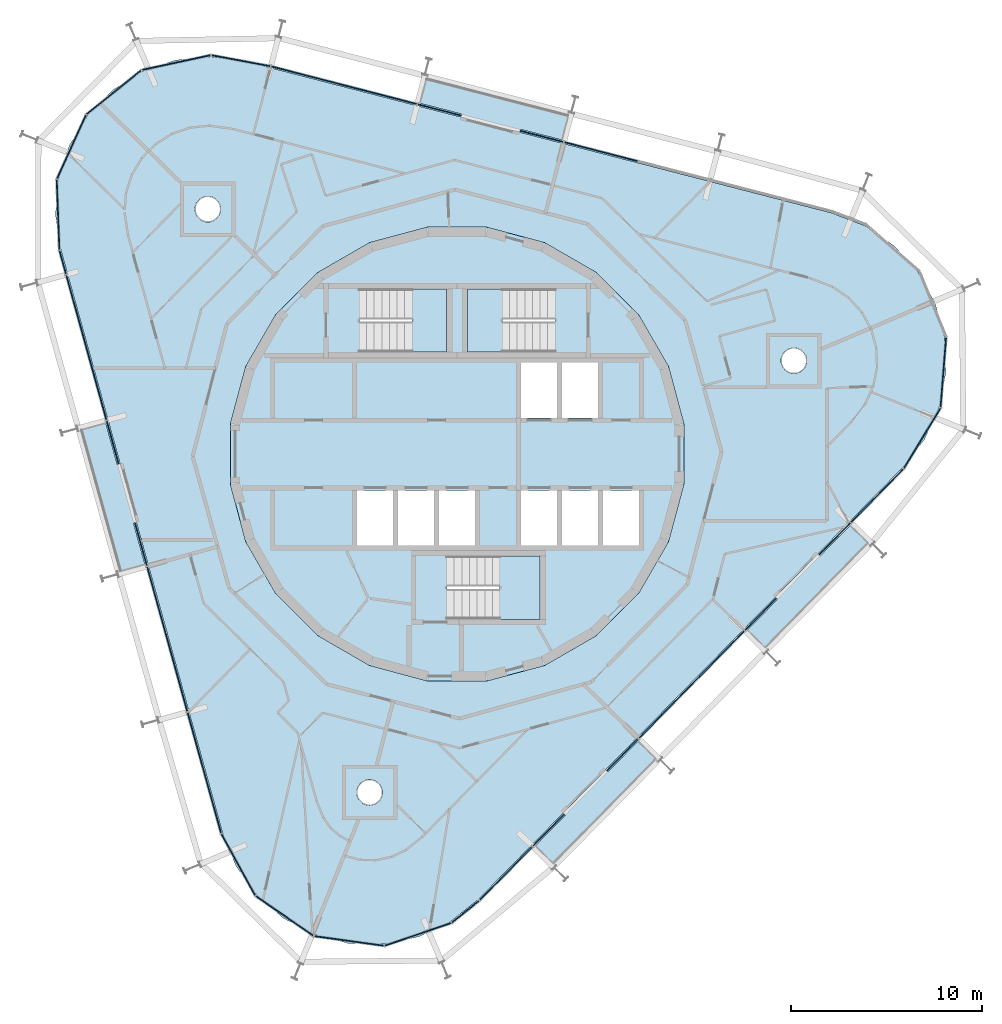
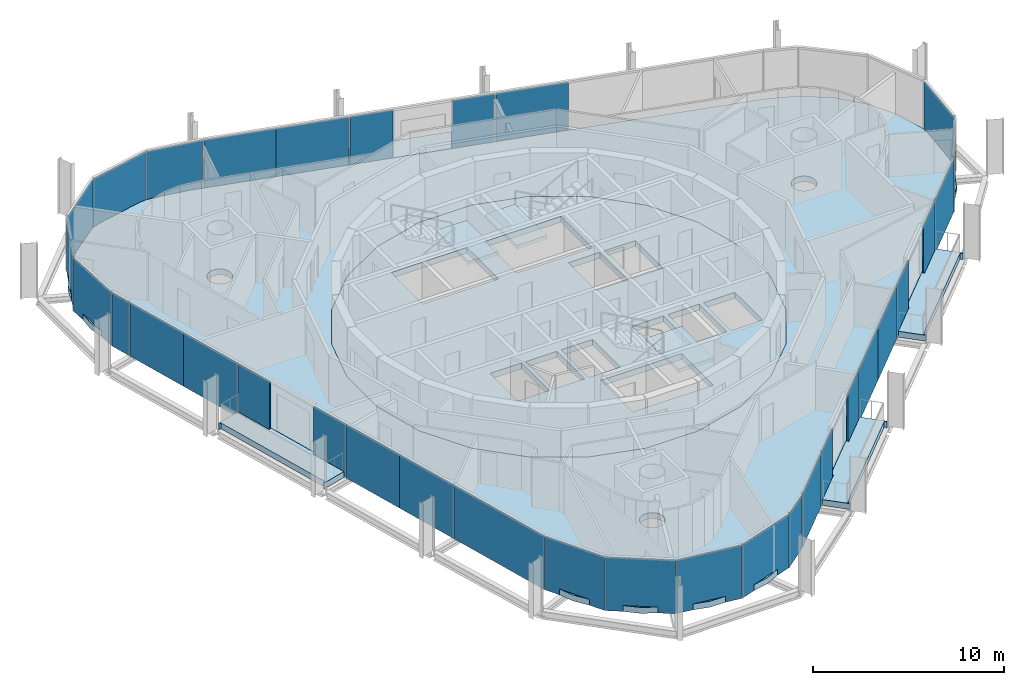
# One storey, part 8 of 15: 33 plates, 9 slabs, 9 elements without a shape of their own.
"""IFC4 building model written with IfcOpenShell, lengths in metres."""

from ifc_helpers import new_model, si_unit, direction, frame, origin, origin_2d, place, context, subcontext, project, spatial, polyline, rectangle, outline, extrude, material, layer, layer_set, type_object, element, aggregate, save


model = new_model("IFC4")

# Units and contexts
model_context = context("Model", 3, precision=1e-05, world=origin(), true_north=direction((0.0, 1.0)))
body_context = subcontext(model_context, "Body", "Model", "MODEL_VIEW")
ifc_project = project(units=[si_unit("LENGTHUNIT", "METRE"), si_unit("AREAUNIT", "SQUARE_METRE"), si_unit("VOLUMEUNIT", "CUBIC_METRE"), si_unit("PLANEANGLEUNIT", "RADIAN"), si_unit("MASSUNIT", "GRAM", prefix="KILO")], contexts=[model_context])

# Site, building, storey
site_placement = place(None, origin())
site = spatial("IfcSite", under=ifc_project, at=site_placement, CompositionType="ELEMENT")
building_placement = place(site_placement, origin())
building = spatial("IfcBuilding", under=site, at=building_placement, Name="Spindle Arch Residences", CompositionType="ELEMENT")
storey_placement = place(building_placement, frame((0.0, 0.0, 319.199951171875)))
storey = spatial("IfcBuildingStorey", under=building, at=storey_placement, Name="L82", CompositionType="ELEMENT", Elevation=319.199951171875)

# Slabs
ifc_material_1 = material(Name="Concrete C40/50", Category="concrete")
ifc_layer_1 = layer(ifc_material_1, 0.3798828125)
ifc_layer_set_1 = layer_set([ifc_layer_1], Name="Balcony slab 380")
slab_type_1 = type_object("IfcSlabType", Name="Balcony slab 380", PredefinedType="FLOOR", material=ifc_layer_set_1)
slab_1_placement = place(storey_placement, frame((0.0, 0.0, -0.3798828125)))
element("IfcSlab", 1, at=slab_1_placement, inside=storey, type_object=slab_type_1, Name="Balcony L82 bay 1", PredefinedType="FLOOR", context=body_context, shape_type="SweptSolid", body=[
    extrude(outline(polyline([(16.2529296875, -10.303955078125), (16.3056640625, -10.25048828125), (16.198486328125, -10.145263671875), (21.550048828125, -4.69970703125), (21.656982421875, -4.8046875), (21.709716796875, -4.751220703125), (20.64697265625, -3.70703125), (19.0400390625, -5.342041015625), (18.926025390625, -5.22998046875), (16.68310546875, -7.512451171875), (16.797119140625, -7.62451171875), (15.190185546875, -9.259521484375), (16.2529296875, -10.303955078125)])), origin(), (0.0, 0.0, 1.0), 0.3798828125),
])
slab_2_placement = place(storey_placement, frame((0.0, 0.0, -0.3798828125)))
element("IfcSlab", 2, at=slab_2_placement, inside=storey, type_object=slab_type_1, Name="Balcony L82 bay 7", PredefinedType="FLOOR", context=body_context, shape_type="SweptSolid", body=[
    extrude(outline(polyline([(5.918701171875, 17.903076171875), (5.845947265625, 17.921875), (5.808349609375, 17.776611328125), (-1.58349609375, 19.688232421875), (-1.5458984375, 19.83349609375), (-1.618408203125, 19.852294921875), (-1.99169921875, 18.40966796875), (0.22802734375, 17.835693359375), (0.187744140625, 17.6806640625), (3.285888671875, 16.879638671875), (3.325927734375, 17.034423828125), (5.54541015625, 16.46044921875), (5.918701171875, 17.903076171875)])), origin(), (0.0, 0.0, 1.0), 0.3798828125),
])
slab_3_placement = place(storey_placement, frame((0.0, 0.0, -0.3798828125)))
element("IfcSlab", 3, at=slab_3_placement, inside=storey, type_object=slab_type_1, Name="Balcony L82 bay 13", PredefinedType="FLOOR", context=body_context, shape_type="SweptSolid", body=[
    extrude(outline(polyline([(-19.87744140625, 1.271728515625), (-19.857421875, 1.199462890625), (-19.712890625, 1.23974609375), (-17.67236328125, -6.11767578125), (-17.81689453125, -6.157958984375), (-17.796875, -6.230224609375), (-16.361083984375, -5.83203125), (-16.973876953125, -3.622802734375), (-16.819580078125, -3.580078125), (-17.6748046875, -0.496337890625), (-17.828857421875, -0.5390625), (-18.441650390625, 1.669921875), (-19.87744140625, 1.271728515625)])), origin(), (0.0, 0.0, 1.0), 0.3798828125),
])
slab_4_placement = place(storey_placement, frame((0.0, 0.0, -0.3798828125)))
element("IfcSlab", 4, at=slab_4_placement, inside=storey, type_object=slab_type_1, Name="Balcony L82 bay 19", PredefinedType="FLOOR", context=body_context, shape_type="SweptSolid", body=[
    extrude(outline(polyline([(5.12939453125, -21.623291015625), (5.18212890625, -21.56982421875), (5.074951171875, -21.46484375), (10.426513671875, -16.01904296875), (10.533447265625, -16.124267578125), (10.586181640625, -16.07080078125), (9.5234375, -15.0263671875), (7.91650390625, -16.661376953125), (7.80224609375, -16.54931640625), (5.559326171875, -18.831787109375), (5.673583984375, -18.94384765625), (4.066650390625, -20.5791015625), (5.12939453125, -21.623291015625)])), origin(), (0.0, 0.0, 1.0), 0.3798828125),
])
ifc_material_2 = material(Name="Concrete C50/60", Category="concrete")
ifc_layer_2 = layer(ifc_material_2, 0.3798828125)
ifc_layer_set_2 = layer_set([ifc_layer_2], Name="Core floor slab 380")
slab_type_2 = type_object("IfcSlabType", Name="Core floor slab 380", PredefinedType="FLOOR", material=ifc_layer_set_2)
slab_5_placement = place(storey_placement, frame((0.0, 0.0, -0.3798828125)))
element("IfcSlab", 5, at=slab_5_placement, inside=storey, type_object=slab_type_2, Name="Core floor L82", PredefinedType="FLOOR", context=body_context, shape_type="SweptSolid", body=[
    extrude(outline(polyline([(1.56640625, -11.897216796875), (4.59228515625, -11.086669921875), (7.30517578125, -9.520263671875), (9.520263671875, -7.30517578125), (11.086669921875, -4.59228515625), (11.897216796875, -1.56640625), (11.897216796875, 1.56640625), (11.086669921875, 4.59228515625), (9.520263671875, 7.30517578125), (7.30517578125, 9.520263671875), (4.59228515625, 11.086669921875), (1.56640625, 11.897216796875), (-1.56640625, 11.897216796875), (-4.59228515625, 11.086669921875), (-7.30517578125, 9.520263671875), (-9.520263671875, 7.30517578125), (-11.086669921875, 4.59228515625), (-11.897216796875, 1.56640625), (-11.897216796875, -1.56640625), (-11.086669921875, -4.59228515625), (-9.520263671875, -7.30517578125), (-7.30517578125, -9.520263671875), (-4.59228515625, -11.086669921875), (-1.56640625, -11.897216796875), (1.56640625, -11.897216796875)]), holes=[polyline([(3.35009765625, 1.89990234375), (5.25, 1.89990234375), (5.25, 4.800048828125), (3.35009765625, 4.800048828125), (3.35009765625, 1.89990234375)]), polyline([(5.5, 1.89990234375), (7.39990234375, 1.89990234375), (7.39990234375, 4.800048828125), (5.5, 4.800048828125), (5.5, 1.89990234375)]), polyline([(-5.25, -4.800048828125), (-3.35009765625, -4.800048828125), (-3.35009765625, -1.89990234375), (-5.25, -1.89990234375), (-5.25, -4.800048828125)]), polyline([(-3.10009765625, -4.800048828125), (-1.199951171875, -4.800048828125), (-1.199951171875, -1.89990234375), (-3.10009765625, -1.89990234375), (-3.10009765625, -4.800048828125)]), polyline([(-0.949951171875, -4.800048828125), (0.949951171875, -4.800048828125), (0.949951171875, -1.89990234375), (-0.949951171875, -1.89990234375), (-0.949951171875, -4.800048828125)]), polyline([(3.35009765625, -4.800048828125), (5.25, -4.800048828125), (5.25, -1.89990234375), (3.35009765625, -1.89990234375), (3.35009765625, -4.800048828125)]), polyline([(5.5, -4.800048828125), (7.39990234375, -4.800048828125), (7.39990234375, -1.89990234375), (5.5, -1.89990234375), (5.5, -4.800048828125)]), polyline([(7.64990234375, -4.800048828125), (9.550048828125, -4.800048828125), (9.550048828125, -1.89990234375), (7.64990234375, -1.89990234375), (7.64990234375, -4.800048828125)]), polyline([(5.1298828125, 8.669921875), (0.550048828125, 8.669921875), (0.550048828125, 5.35009765625), (5.1298828125, 5.35009765625), (5.1298828125, 8.669921875)]), polyline([(-5.1298828125, 5.35009765625), (-0.550048828125, 5.35009765625), (-0.550048828125, 8.669921875), (-5.1298828125, 8.669921875), (-5.1298828125, 5.35009765625)]), polyline([(-0.530029296875, -8.669921875), (4.35009765625, -8.669921875), (4.35009765625, -5.35009765625), (-0.530029296875, -5.35009765625), (-0.530029296875, -8.669921875)])]), origin(), (0.0, 0.0, 1.0), 0.3798828125),
])

# Stair, slab
ifc_material_3 = material(Name="Concrete C50/60", Category="concrete")
stair_type = type_object("IfcStairType", Name="Exit stair 16 risers", PredefinedType="HALF_TURN_STAIR", material=ifc_material_3)
stair_1_placement = place(storey_placement, origin())
stair_1 = element("IfcStair", 6, at=stair_1_placement, inside=storey, type_object=stair_type, Name="L82 Exit stair ST1", PredefinedType="HALF_TURN_STAIR")
ifc_material_4 = material(Name="Concrete C50/60", Category="concrete")
ifc_layer_3 = layer(ifc_material_4, 0.219970703125)
ifc_layer_set_3 = layer_set([ifc_layer_3], Name="Exit stair landing 220")
slab_type_3 = type_object("IfcSlabType", Name="Exit stair landing 220", PredefinedType="LANDING", material=ifc_layer_set_3)
slab_6_placement = place(storey_placement, frame((0.0, 0.0, 1.530029296875)))
slab_6 = element("IfcSlab", 7, at=slab_6_placement, type_object=slab_type_3, Name="ST1 landing 1", PredefinedType="LANDING", context=body_context, shape_type="SweptSolid", body=[
    extrude(outline(polyline([(2.3701171875, 8.669921875), (0.550048828125, 8.669921875), (0.550048828125, 5.35009765625), (2.3701171875, 5.35009765625), (2.3701171875, 8.669921875)])), origin(), (0.0, 0.0, 1.0), 0.219970703125),
])
aggregate(stair_1, [slab_6])

stair_2_placement = place(storey_placement, origin())
stair_2 = element("IfcStair", 8, at=stair_2_placement, inside=storey, type_object=stair_type, Name="L82 Exit stair ST2", PredefinedType="HALF_TURN_STAIR")
slab_7_placement = place(storey_placement, frame((0.0, 0.0, 1.530029296875)))
slab_7 = element("IfcSlab", 9, at=slab_7_placement, type_object=slab_type_3, Name="ST2 landing 1", PredefinedType="LANDING", context=body_context, shape_type="SweptSolid", body=[
    extrude(outline(polyline([(-2.3701171875, 5.35009765625), (-0.550048828125, 5.35009765625), (-0.550048828125, 8.669921875), (-2.3701171875, 8.669921875), (-2.3701171875, 5.35009765625)])), origin(), (0.0, 0.0, 1.0), 0.219970703125),
])
aggregate(stair_2, [slab_7])

stair_3_placement = place(storey_placement, origin())
stair_3 = element("IfcStair", 10, at=stair_3_placement, inside=storey, type_object=stair_type, Name="L82 Exit stair ST3", PredefinedType="HALF_TURN_STAIR")
slab_8_placement = place(storey_placement, frame((0.0, 0.0, 1.530029296875)))
slab_8 = element("IfcSlab", 11, at=slab_8_placement, type_object=slab_type_3, Name="ST3 landing 1", PredefinedType="LANDING", context=body_context, shape_type="SweptSolid", body=[
    extrude(outline(polyline([(2.22998046875, -8.669921875), (4.35009765625, -8.669921875), (4.35009765625, -5.35009765625), (2.22998046875, -5.35009765625), (2.22998046875, -8.669921875)])), origin(), (0.0, 0.0, 1.0), 0.219970703125),
])
aggregate(stair_3, [slab_8])

# Slab
ifc_material_5 = material(Name="Concrete C40/50", Category="concrete")
ifc_layer_4 = layer(ifc_material_5, 0.3798828125)
ifc_layer_set_4 = layer_set([ifc_layer_4], Name="Floor slab 380")
slab_type_4 = type_object("IfcSlabType", Name="Floor slab 380", PredefinedType="FLOOR", material=ifc_layer_set_4)
slab_9_placement = place(storey_placement, frame((0.0, 0.0, -0.3798828125)))
element("IfcSlab", 12, at=slab_9_placement, inside=storey, type_object=slab_type_4, Name="Floor slab L82", PredefinedType="FLOOR", context=body_context, shape_type="SweptSolid", body=[
    extrude(outline(polyline([(-0.330078125, -24.517333984375), (-2.006591796875, -25.317138671875), (-3.822509765625, -25.70849609375), (-5.6796875, -25.6708984375), (-7.477783203125, -25.205810546875), (-9.12060546875, -24.33837890625), (-10.518798828125, -23.11572265625), (-11.597412109375, -21.603515625), (-12.29833984375, -19.88330078125), (-20.782470703125, 10.709228515625), (-21.067626953125, 12.544677734375), (-20.921875, 14.396484375), (-20.35302734375, 16.164794921875), (-19.3916015625, 17.754150390625), (-18.08984375, 19.078857421875), (-16.517333984375, 20.06787109375), (-14.759521484375, 20.66748046875), (-12.910400390625, 20.845458984375), (-11.0703125, 20.59228515625), (19.665771484375, 12.6435546875), (21.397705078125, 11.972900390625), (22.9287109375, 10.920654296875), (24.175537109375, 9.5439453125), (25.0712890625, 7.916748046875), (25.567626953125, 6.126708984375), (25.637939453125, 4.2705078125), (25.2783203125, 2.4482421875), (24.5078125, 0.758056640625), (23.36865234375, -0.708984375), (12.24267578125, -12.03076171875), (1.11669921875, -23.352783203125), (-0.330078125, -24.517333984375)]), holes=[polyline([(7.30517578125, -9.520263671875), (9.520263671875, -7.30517578125), (11.086669921875, -4.59228515625), (11.897216796875, -1.56640625), (11.897216796875, 1.56640625), (11.086669921875, 4.59228515625), (9.520263671875, 7.30517578125), (7.30517578125, 9.520263671875), (4.59228515625, 11.086669921875), (1.56640625, 11.897216796875), (-1.56640625, 11.897216796875), (-4.59228515625, 11.086669921875), (-7.30517578125, 9.520263671875), (-9.520263671875, 7.30517578125), (-11.086669921875, 4.59228515625), (-11.897216796875, 1.56640625), (-11.897216796875, -1.56640625), (-11.086669921875, -4.59228515625), (-9.520263671875, -7.30517578125), (-7.30517578125, -9.520263671875), (-4.59228515625, -11.086669921875), (-1.56640625, -11.897216796875), (1.56640625, -11.897216796875), (4.59228515625, -11.086669921875), (7.30517578125, -9.520263671875)]), polyline([(-4.028076171875, -18.120361328125), (-3.9658203125, -18.003662109375), (-3.92724609375, -17.877197265625), (-3.914306640625, -17.745361328125), (-3.92724609375, -17.61376953125), (-3.9658203125, -17.487060546875), (-4.028076171875, -17.370361328125), (-4.112060546875, -17.26806640625), (-4.21435546875, -17.18408203125), (-4.3310546875, -17.121826171875), (-4.45751953125, -17.08349609375), (-4.58935546875, -17.0703125), (-4.720947265625, -17.08349609375), (-4.84765625, -17.121826171875), (-4.96435546875, -17.18408203125), (-5.066650390625, -17.26806640625), (-5.150390625, -17.370361328125), (-5.212890625, -17.487060546875), (-5.251220703125, -17.61376953125), (-5.264404296875, -17.745361328125), (-5.251220703125, -17.877197265625), (-5.212890625, -18.003662109375), (-5.150390625, -18.120361328125), (-5.066650390625, -18.22265625), (-4.96435546875, -18.306640625), (-4.84765625, -18.368896484375), (-4.720947265625, -18.407470703125), (-4.58935546875, -18.42041015625), (-4.45751953125, -18.407470703125), (-4.3310546875, -18.368896484375), (-4.21435546875, -18.306640625), (-4.112060546875, -18.22265625), (-4.028076171875, -18.120361328125)]), polyline([(-12.595947265625, 12.369873046875), (-12.51220703125, 12.47216796875), (-12.44970703125, 12.5888671875), (-12.411376953125, 12.71533203125), (-12.398193359375, 12.84716796875), (-12.411376953125, 12.978759765625), (-12.44970703125, 13.10546875), (-12.51220703125, 13.22216796875), (-12.595947265625, 13.324462890625), (-12.6982421875, 13.408203125), (-12.81494140625, 13.470703125), (-12.941650390625, 13.509033203125), (-13.0732421875, 13.522216796875), (-13.205078125, 13.509033203125), (-13.33154296875, 13.470703125), (-13.4482421875, 13.408203125), (-13.550537109375, 13.324462890625), (-13.634521484375, 13.22216796875), (-13.697021484375, 13.10546875), (-13.7353515625, 12.978759765625), (-13.748291015625, 12.84716796875), (-13.7353515625, 12.71533203125), (-13.697021484375, 12.5888671875), (-13.634521484375, 12.47216796875), (-13.550537109375, 12.369873046875), (-13.4482421875, 12.285888671875), (-13.33154296875, 12.223388671875), (-13.205078125, 12.18505859375), (-13.0732421875, 12.172119140625), (-12.941650390625, 12.18505859375), (-12.81494140625, 12.223388671875), (-12.6982421875, 12.285888671875), (-12.595947265625, 12.369873046875)]), polyline([(18.139892578125, 4.4208984375), (18.223876953125, 4.523193359375), (18.2861328125, 4.639892578125), (18.32470703125, 4.7666015625), (18.337646484375, 4.898193359375), (18.32470703125, 5.030029296875), (18.2861328125, 5.156494140625), (18.223876953125, 5.273193359375), (18.139892578125, 5.37548828125), (18.03759765625, 5.45947265625), (17.9208984375, 5.52197265625), (17.794189453125, 5.560302734375), (17.66259765625, 5.5732421875), (17.531005859375, 5.560302734375), (17.404296875, 5.52197265625), (17.28759765625, 5.45947265625), (17.185302734375, 5.37548828125), (17.101318359375, 5.273193359375), (17.0390625, 5.156494140625), (17.00048828125, 5.030029296875), (16.987548828125, 4.898193359375), (17.00048828125, 4.7666015625), (17.0390625, 4.639892578125), (17.101318359375, 4.523193359375), (17.185302734375, 4.4208984375), (17.28759765625, 4.337158203125), (17.404296875, 4.274658203125), (17.531005859375, 4.236328125), (17.66259765625, 4.223388671875), (17.794189453125, 4.236328125), (17.9208984375, 4.274658203125), (18.03759765625, 4.337158203125), (18.139892578125, 4.4208984375)])]), origin(), (0.0, 0.0, 1.0), 0.3798828125),
])

# Curtain wall, plates
ifc_material_6 = material(Name="Aluminium bronze unitised frame with tinted glass", Category="aluminium")
ifc_layer_5 = layer(ifc_material_6, 0.159912109375)
ifc_layer_set_5 = layer_set([ifc_layer_5], Name="CW-D corner wall on the fillet arcs")
curtain_wall_type_1 = type_object("IfcCurtainWallType", Name="CW-D corner wall on the fillet arcs", PredefinedType="NOTDEFINED", material=ifc_layer_set_5)
curtain_wall_1_placement = place(storey_placement, origin())
curtain_wall_1 = element("IfcCurtainWall", 13, at=curtain_wall_1_placement, inside=storey, type_object=curtain_wall_type_1, Name="CW-D L82 run 1", PredefinedType="NOTDEFINED")
ifc_material_7 = material(Name="Tinted double glazing over aluminium faced non-combustible spandrel zone (K0)", Category="aluminium")
ifc_layer_6 = layer(ifc_material_7, 0.06005859375)
ifc_layer_set_6 = layer_set([ifc_layer_6], Name="Unitised glass panel with E 60 spandrel zone")
plate_type = type_object("IfcPlateType", Name="Unitised glass panel with E 60 spandrel zone", PredefinedType="CURTAIN_PANEL", material=ifc_layer_set_6)
plate_1_placement = place(storey_placement, frame((22.033935546875, -2.18115234375, -0.3798828125), z_axis=(0.0, 0.0, 1.0), x_axis=(0.7009092643, 0.713250449154, 0.0)))
plate_1 = element("IfcPlate", 14, at=plate_1_placement, type_object=plate_type, Name="CW-D unit 00", PredefinedType="CURTAIN_PANEL", context=body_context, shape_type="SweptSolid", body=[
    extrude(rectangle(XDim=3.910888671875, YDim=0.06005859375, at=origin_2d()), origin(), (0.0, 0.0, 1.0), 3.3798828125),
])
plate_2_placement = place(storey_placement, frame((24.39013671875, 0.829345703125, -0.3798828125), z_axis=(0.0, 0.0, 1.0), x_axis=(0.517529288252, 0.855665492936, 0.0)))
plate_2 = element("IfcPlate", 15, at=plate_2_placement, type_object=plate_type, Name="CW-D unit 01", PredefinedType="CURTAIN_PANEL", context=body_context, shape_type="SweptSolid", body=[
    extrude(rectangle(XDim=3.666748046875, YDim=0.06005859375, at=origin_2d()), origin(), (0.0, 0.0, 1.0), 3.3798828125),
])
plate_3_placement = place(storey_placement, frame((25.50048828125, 4.281494140625, -0.3798828125), z_axis=(0.0, 0.0, 1.0), x_axis=(0.078459091935, 0.996917334032, 0.0)))
plate_3 = element("IfcPlate", 16, at=plate_3_placement, type_object=plate_type, Name="CW-D unit 02", PredefinedType="CURTAIN_PANEL", context=body_context, shape_type="SweptSolid", body=[
    extrude(rectangle(XDim=3.666748046875, YDim=0.06005859375, at=origin_2d()), origin(), (0.0, 0.0, 1.0), 3.3798828125),
])
aggregate(curtain_wall_1, [plate_1, plate_2, plate_3])

ifc_material_8 = material(Name="Aluminium bronze unitised frame with tinted glass", Category="aluminium")
ifc_layer_7 = layer(ifc_material_8, 0.159912109375)
ifc_layer_set_7 = layer_set([ifc_layer_7], Name="CW-C typical residential unitised wall")
curtain_wall_type_2 = type_object("IfcCurtainWallType", Name="CW-C typical residential unitised wall", PredefinedType="NOTDEFINED", material=ifc_layer_set_7)
curtain_wall_2_placement = place(storey_placement, origin())
curtain_wall_2 = element("IfcCurtainWall", 17, at=curtain_wall_2_placement, inside=storey, type_object=curtain_wall_type_2, Name="CW-C L82 run 2", PredefinedType="NOTDEFINED")
plate_4_placement = place(storey_placement, frame((7.533203125, 15.86376953125, -0.3798828125), z_axis=(0.0, 0.0, 1.0), x_axis=(-0.968147640378, 0.250380004054, 0.0)))
plate_4 = element("IfcPlate", 18, at=plate_4_placement, type_object=plate_type, Name="CW-C unit 05B", PredefinedType="CURTAIN_PANEL", context=body_context, shape_type="SweptSolid", body=[
    extrude(rectangle(XDim=3.9375, YDim=0.06005859375, at=origin_2d()), origin(), (0.0, 0.0, 1.0), 3.3798828125),
])
plate_5_placement = place(storey_placement, frame((4.4375, 16.664306640625, -0.3798828125), z_axis=(0.0, 0.0, 1.0), x_axis=(-0.968147640378, 0.250380004054, 0.0)))
plate_5 = element("IfcPlate", 19, at=plate_5_placement, type_object=plate_type, Name="CW-C unit 06L", PredefinedType="CURTAIN_PANEL", context=body_context, shape_type="SweptSolid", body=[
    extrude(rectangle(XDim=2.337646484375, YDim=0.06005859375, at=origin_2d()), origin(), (0.0, 0.0, 1.0), 3.3798828125),
])
plate_6_placement = place(storey_placement, frame((-0.923583984375, 18.05078125, -0.3798828125), z_axis=(0.0, 0.0, 1.0), x_axis=(-0.968147640378, 0.250380004054, 0.0)))
plate_6 = element("IfcPlate", 20, at=plate_6_placement, type_object=plate_type, Name="CW-C unit 06R", PredefinedType="CURTAIN_PANEL", context=body_context, shape_type="SweptSolid", body=[
    extrude(rectangle(XDim=2.337646484375, YDim=0.06005859375, at=origin_2d()), origin(), (0.0, 0.0, 1.0), 3.3798828125),
])
plate_7_placement = place(storey_placement, frame((-4.019287109375, 18.8515625, -0.3798828125), z_axis=(0.0, 0.0, 1.0), x_axis=(-0.968147640378, 0.250380004054, 0.0)))
plate_7 = element("IfcPlate", 21, at=plate_7_placement, type_object=plate_type, Name="CW-C unit 07A", PredefinedType="CURTAIN_PANEL", context=body_context, shape_type="SweptSolid", body=[
    extrude(rectangle(XDim=3.9375, YDim=0.06005859375, at=origin_2d()), origin(), (0.0, 0.0, 1.0), 3.3798828125),
])
plate_8_placement = place(storey_placement, frame((-7.83154296875, 19.83740234375, -0.3798828125), z_axis=(0.0, 0.0, 1.0), x_axis=(-0.968147640378, 0.250380004054, 0.0)))
plate_8 = element("IfcPlate", 22, at=plate_8_placement, type_object=plate_type, Name="CW-C unit 07B", PredefinedType="CURTAIN_PANEL", context=body_context, shape_type="SweptSolid", body=[
    extrude(rectangle(XDim=3.9375, YDim=0.06005859375, at=origin_2d()), origin(), (0.0, 0.0, 1.0), 3.3798828125),
])
aggregate(curtain_wall_2, [plate_4, plate_5, plate_6, plate_7, plate_8])

curtain_wall_3_placement = place(storey_placement, origin())
curtain_wall_3 = element("IfcCurtainWall", 23, at=curtain_wall_3_placement, inside=storey, type_object=curtain_wall_type_1, Name="CW-D L82 run 3", PredefinedType="NOTDEFINED")
plate_9_placement = place(storey_placement, frame((-11.337646484375, 20.631591796875, -0.3798828125), z_axis=(0.0, 0.0, 1.0), x_axis=(-0.98295670176, 0.183837217301, 0.0)))
plate_9 = element("IfcPlate", 24, at=plate_9_placement, type_object=plate_type, Name="CW-D unit 00", PredefinedType="CURTAIN_PANEL", context=body_context, shape_type="SweptSolid", body=[
    extrude(rectangle(XDim=3.13671875, YDim=0.06005859375, at=origin_2d()), origin(), (0.0, 0.0, 1.0), 3.3798828125),
])
plate_10_placement = place(storey_placement, frame((-14.73046875, 20.53271484375, -0.3798828125), z_axis=(0.0, 0.0, 1.0), x_axis=(-0.977538671364, -0.210756129184, 0.0)))
plate_10 = element("IfcPlate", 25, at=plate_10_placement, type_object=plate_type, Name="CW-D unit 01", PredefinedType="CURTAIN_PANEL", context=body_context, shape_type="SweptSolid", body=[
    extrude(rectangle(XDim=3.666748046875, YDim=0.06005859375, at=origin_2d()), origin(), (0.0, 0.0, 1.0), 3.3798828125),
])
plate_11_placement = place(storey_placement, frame((-18.00341796875, 18.9716796875, -0.3798828125), z_axis=(0.0, 0.0, 1.0), x_axis=(-0.778973288411, -0.627057107401, 0.0)))
plate_11 = element("IfcPlate", 26, at=plate_11_placement, type_object=plate_type, Name="CW-D unit 02", PredefinedType="CURTAIN_PANEL", context=body_context, shape_type="SweptSolid", body=[
    extrude(rectangle(XDim=3.666748046875, YDim=0.06005859375, at=origin_2d()), origin(), (0.0, 0.0, 1.0), 3.3798828125),
])
plate_12_placement = place(storey_placement, frame((-20.2275390625, 16.107421875, -0.3798828125), z_axis=(0.0, 0.0, 1.0), x_axis=(-0.414693245896, -0.9099612694, 0.0)))
plate_12 = element("IfcPlate", 27, at=plate_12_placement, type_object=plate_type, Name="CW-D unit 03", PredefinedType="CURTAIN_PANEL", context=body_context, shape_type="SweptSolid", body=[
    extrude(rectangle(XDim=3.666748046875, YDim=0.06005859375, at=origin_2d()), origin(), (0.0, 0.0, 1.0), 3.3798828125),
])
plate_13_placement = place(storey_placement, frame((-20.929931640625, 12.5498046875, -0.3798828125), z_axis=(0.0, 0.0, 1.0), x_axis=(0.037806455536, -0.999285080405, 0.0)))
plate_13 = element("IfcPlate", 28, at=plate_13_placement, type_object=plate_type, Name="CW-D unit 04", PredefinedType="CURTAIN_PANEL", context=body_context, shape_type="SweptSolid", body=[
    extrude(rectangle(XDim=3.666748046875, YDim=0.06005859375, at=origin_2d()), origin(), (0.0, 0.0, 1.0), 3.3798828125),
])
plate_14_placement = place(storey_placement, frame((-20.682373046875, 10.049072265625, -0.3798828125), z_axis=(0.0, 0.0, 1.0), x_axis=(0.267238376078, -0.963630453209, 0.0)))
plate_14 = element("IfcPlate", 29, at=plate_14_placement, type_object=plate_type, Name="CW-D unit 05", PredefinedType="CURTAIN_PANEL", context=body_context, shape_type="SweptSolid", body=[
    extrude(rectangle(XDim=1.265869140625, YDim=0.06005859375, at=origin_2d()), origin(), (0.0, 0.0, 1.0), 3.3798828125),
])
aggregate(curtain_wall_3, [plate_9, plate_10, plate_11, plate_12, plate_13, plate_14])

curtain_wall_4_placement = place(storey_placement, origin())
curtain_wall_4 = element("IfcCurtainWall", 30, at=curtain_wall_4_placement, inside=storey, type_object=curtain_wall_type_2, Name="CW-C L82 run 4", PredefinedType="NOTDEFINED")
plate_15_placement = place(storey_placement, frame((-19.970947265625, 7.484130859375, -0.3798828125), z_axis=(0.0, 0.0, 1.0), x_axis=(0.267238376078, -0.963630453209, 0.0)))
plate_15 = element("IfcPlate", 31, at=plate_15_placement, type_object=plate_type, Name="CW-C unit 11A", PredefinedType="CURTAIN_PANEL", context=body_context, shape_type="SweptSolid", body=[
    extrude(rectangle(XDim=3.9375, YDim=0.06005859375, at=origin_2d()), origin(), (0.0, 0.0, 1.0), 3.3798828125),
])
plate_16_placement = place(storey_placement, frame((-18.918701171875, 3.689697265625, -0.3798828125), z_axis=(0.0, 0.0, 1.0), x_axis=(0.267238376078, -0.963630453209, 0.0)))
plate_16 = element("IfcPlate", 32, at=plate_16_placement, type_object=plate_type, Name="CW-C unit 11B", PredefinedType="CURTAIN_PANEL", context=body_context, shape_type="SweptSolid", body=[
    extrude(rectangle(XDim=3.9375, YDim=0.06005859375, at=origin_2d()), origin(), (0.0, 0.0, 1.0), 3.3798828125),
])
plate_17_placement = place(storey_placement, frame((-18.064208984375, 0.6083984375, -0.3798828125), z_axis=(0.0, 0.0, 1.0), x_axis=(0.267238376078, -0.963630453209, 0.0)))
plate_17 = element("IfcPlate", 33, at=plate_17_placement, type_object=plate_type, Name="CW-C unit 12L", PredefinedType="CURTAIN_PANEL", context=body_context, shape_type="SweptSolid", body=[
    extrude(rectangle(XDim=2.337646484375, YDim=0.06005859375, at=origin_2d()), origin(), (0.0, 0.0, 1.0), 3.3798828125),
])
plate_18_placement = place(storey_placement, frame((-16.58447265625, -4.727783203125, -0.3798828125), z_axis=(0.0, 0.0, 1.0), x_axis=(0.267238376078, -0.963630453209, 0.0)))
plate_18 = element("IfcPlate", 34, at=plate_18_placement, type_object=plate_type, Name="CW-C unit 12R", PredefinedType="CURTAIN_PANEL", context=body_context, shape_type="SweptSolid", body=[
    extrude(rectangle(XDim=2.337646484375, YDim=0.06005859375, at=origin_2d()), origin(), (0.0, 0.0, 1.0), 3.3798828125),
])
plate_19_placement = place(storey_placement, frame((-15.72998046875, -7.808837890625, -0.3798828125), z_axis=(0.0, 0.0, 1.0), x_axis=(0.267238376078, -0.963630453209, 0.0)))
plate_19 = element("IfcPlate", 35, at=plate_19_placement, type_object=plate_type, Name="CW-C unit 13A", PredefinedType="CURTAIN_PANEL", context=body_context, shape_type="SweptSolid", body=[
    extrude(rectangle(XDim=3.9375, YDim=0.06005859375, at=origin_2d()), origin(), (0.0, 0.0, 1.0), 3.3798828125),
])
plate_20_placement = place(storey_placement, frame((-14.677490234375, -11.603271484375, -0.3798828125), z_axis=(0.0, 0.0, 1.0), x_axis=(0.267238376078, -0.963630453209, 0.0)))
plate_20 = element("IfcPlate", 36, at=plate_20_placement, type_object=plate_type, Name="CW-C unit 13B", PredefinedType="CURTAIN_PANEL", context=body_context, shape_type="SweptSolid", body=[
    extrude(rectangle(XDim=3.9375, YDim=0.06005859375, at=origin_2d()), origin(), (0.0, 0.0, 1.0), 3.3798828125),
])
aggregate(curtain_wall_4, [plate_15, plate_16, plate_17, plate_18, plate_19, plate_20])

curtain_wall_5_placement = place(storey_placement, origin())
curtain_wall_5 = element("IfcCurtainWall", 37, at=curtain_wall_5_placement, inside=storey, type_object=curtain_wall_type_1, Name="CW-D L82 run 5", PredefinedType="NOTDEFINED")
plate_21_placement = place(storey_placement, frame((-13.259521484375, -16.717041015625, -0.3798828125), z_axis=(0.0, 0.0, 1.0), x_axis=(0.267238376078, -0.963630453209, 0.0)))
plate_21 = element("IfcPlate", 38, at=plate_21_placement, type_object=plate_type, Name="CW-D unit 00", PredefinedType="CURTAIN_PANEL", context=body_context, shape_type="SweptSolid", body=[
    extrude(rectangle(XDim=6.555908203125, YDim=0.06005859375, at=origin_2d()), origin(), (0.0, 0.0, 1.0), 3.3798828125),
])
plate_22_placement = place(storey_placement, frame((-11.476806640625, -21.537109375, -0.3798828125), z_axis=(0.0, 0.0, 1.0), x_axis=(0.482263404731, -0.876026260142, 0.0)))
plate_22 = element("IfcPlate", 39, at=plate_22_placement, type_object=plate_type, Name="CW-D unit 01", PredefinedType="CURTAIN_PANEL", context=body_context, shape_type="SweptSolid", body=[
    extrude(rectangle(XDim=3.666748046875, YDim=0.06005859375, at=origin_2d()), origin(), (0.0, 0.0, 1.0), 3.3798828125),
])
plate_23_placement = place(storey_placement, frame((-9.04248046875, -24.224853515625, -0.3798828125), z_axis=(0.0, 0.0, 1.0), x_axis=(0.824126188573, -0.566406236997, 0.0)))
plate_23 = element("IfcPlate", 40, at=plate_23_placement, type_object=plate_type, Name="CW-D unit 02", PredefinedType="CURTAIN_PANEL", context=body_context, shape_type="SweptSolid", body=[
    extrude(rectangle(XDim=3.666748046875, YDim=0.06005859375, at=origin_2d()), origin(), (0.0, 0.0, 1.0), 3.3798828125),
])
plate_24_placement = place(storey_placement, frame((-5.660888671875, -25.5341796875, -0.3798828125), z_axis=(0.0, 0.0, 1.0), x_axis=(0.99066871764, -0.136291936259, 0.0)))
plate_24 = element("IfcPlate", 41, at=plate_24_placement, type_object=plate_type, Name="CW-D unit 03", PredefinedType="CURTAIN_PANEL", context=body_context, shape_type="SweptSolid", body=[
    extrude(rectangle(XDim=3.666748046875, YDim=0.06005859375, at=origin_2d()), origin(), (0.0, 0.0, 1.0), 3.3798828125),
])
plate_25_placement = place(storey_placement, frame((-2.05126953125, -25.186767578125, -0.3798828125), z_axis=(0.0, 0.0, 1.0), x_axis=(0.946461612616, 0.322816381002, 0.0)))
plate_25 = element("IfcPlate", 42, at=plate_25_placement, type_object=plate_type, Name="CW-D unit 04", PredefinedType="CURTAIN_PANEL", context=body_context, shape_type="SweptSolid", body=[
    extrude(rectangle(XDim=3.666748046875, YDim=0.06005859375, at=origin_2d()), origin(), (0.0, 0.0, 1.0), 3.3798828125),
])
plate_26_placement = place(storey_placement, frame((0.443115234375, -23.9970703125, -0.3798828125), z_axis=(0.0, 0.0, 1.0), x_axis=(0.778973292636, 0.627057102153, 0.0)))
plate_26 = element("IfcPlate", 43, at=plate_26_placement, type_object=plate_type, Name="CW-D unit 05", PredefinedType="CURTAIN_PANEL", context=body_context, shape_type="SweptSolid", body=[
    extrude(rectangle(XDim=1.816162109375, YDim=0.06005859375, at=origin_2d()), origin(), (0.0, 0.0, 1.0), 3.3798828125),
])
plate_27_placement = place(storey_placement, frame((2.5654296875, -21.99267578125, -0.3798828125), z_axis=(0.0, 0.0, 1.0), x_axis=(0.7009092643, 0.713250449154, 0.0)))
plate_27 = element("IfcPlate", 44, at=plate_27_placement, type_object=plate_type, Name="CW-D unit 06", PredefinedType="CURTAIN_PANEL", context=body_context, shape_type="SweptSolid", body=[
    extrude(rectangle(XDim=3.910888671875, YDim=0.06005859375, at=origin_2d()), origin(), (0.0, 0.0, 1.0), 3.3798828125),
])
aggregate(curtain_wall_5, [plate_21, plate_22, plate_23, plate_24, plate_25, plate_26, plate_27])

curtain_wall_6_placement = place(storey_placement, origin())
curtain_wall_6 = element("IfcCurtainWall", 45, at=curtain_wall_6_placement, inside=storey, type_object=curtain_wall_type_2, Name="CW-C L82 run 6", PredefinedType="NOTDEFINED")
plate_28_placement = place(storey_placement, frame((4.79736328125, -19.721435546875, -0.3798828125), z_axis=(0.0, 0.0, 1.0), x_axis=(0.7009092643, 0.713250449154, 0.0)))
plate_28 = element("IfcPlate", 46, at=plate_28_placement, type_object=plate_type, Name="CW-C unit 18L", PredefinedType="CURTAIN_PANEL", context=body_context, shape_type="SweptSolid", body=[
    extrude(rectangle(XDim=2.337646484375, YDim=0.06005859375, at=origin_2d()), origin(), (0.0, 0.0, 1.0), 3.3798828125),
])
plate_29_placement = place(storey_placement, frame((8.6787109375, -15.771728515625, -0.3798828125), z_axis=(0.0, 0.0, 1.0), x_axis=(0.7009092643, 0.713250449154, 0.0)))
plate_29 = element("IfcPlate", 47, at=plate_29_placement, type_object=plate_type, Name="CW-C unit 18R", PredefinedType="CURTAIN_PANEL", context=body_context, shape_type="SweptSolid", body=[
    extrude(rectangle(XDim=2.337646484375, YDim=0.06005859375, at=origin_2d()), origin(), (0.0, 0.0, 1.0), 3.3798828125),
])
plate_30_placement = place(storey_placement, frame((10.919921875, -13.4912109375, -0.3798828125), z_axis=(0.0, 0.0, 1.0), x_axis=(0.7009092643, 0.713250449154, 0.0)))
plate_30 = element("IfcPlate", 48, at=plate_30_placement, type_object=plate_type, Name="CW-C unit 19A", PredefinedType="CURTAIN_PANEL", context=body_context, shape_type="SweptSolid", body=[
    extrude(rectangle(XDim=3.9375, YDim=0.06005859375, at=origin_2d()), origin(), (0.0, 0.0, 1.0), 3.3798828125),
])
plate_31_placement = place(storey_placement, frame((13.6796875, -10.6826171875, -0.3798828125), z_axis=(0.0, 0.0, 1.0), x_axis=(0.7009092643, 0.713250449154, 0.0)))
plate_31 = element("IfcPlate", 49, at=plate_31_placement, type_object=plate_type, Name="CW-C unit 19B", PredefinedType="CURTAIN_PANEL", context=body_context, shape_type="SweptSolid", body=[
    extrude(rectangle(XDim=3.9375, YDim=0.06005859375, at=origin_2d()), origin(), (0.0, 0.0, 1.0), 3.3798828125),
])
plate_32_placement = place(storey_placement, frame((15.9208984375, -8.402099609375, -0.3798828125), z_axis=(0.0, 0.0, 1.0), x_axis=(0.7009092643, 0.713250449154, 0.0)))
plate_32 = element("IfcPlate", 50, at=plate_32_placement, type_object=plate_type, Name="CW-C unit 00L", PredefinedType="CURTAIN_PANEL", context=body_context, shape_type="SweptSolid", body=[
    extrude(rectangle(XDim=2.337646484375, YDim=0.06005859375, at=origin_2d()), origin(), (0.0, 0.0, 1.0), 3.3798828125),
])
plate_33_placement = place(storey_placement, frame((19.80224609375, -4.452392578125, -0.3798828125), z_axis=(0.0, 0.0, 1.0), x_axis=(0.7009092643, 0.713250449154, 0.0)))
plate_33 = element("IfcPlate", 51, at=plate_33_placement, type_object=plate_type, Name="CW-C unit 00R", PredefinedType="CURTAIN_PANEL", context=body_context, shape_type="SweptSolid", body=[
    extrude(rectangle(XDim=2.337646484375, YDim=0.06005859375, at=origin_2d()), origin(), (0.0, 0.0, 1.0), 3.3798828125),
])
aggregate(curtain_wall_6, [plate_28, plate_29, plate_30, plate_31, plate_32, plate_33])

save(model, "model.ifc")
